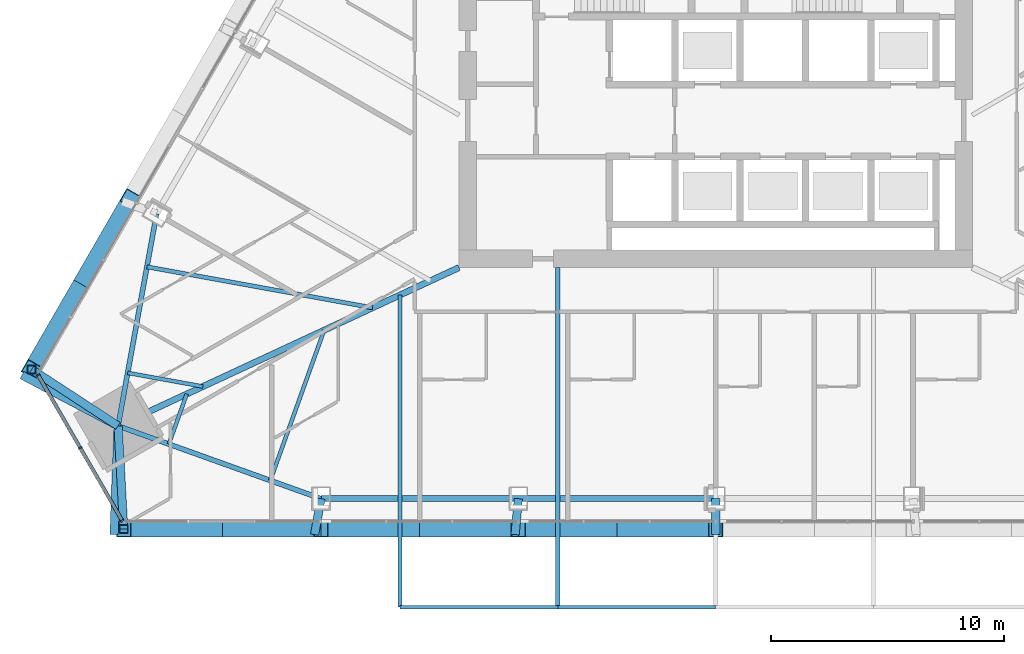
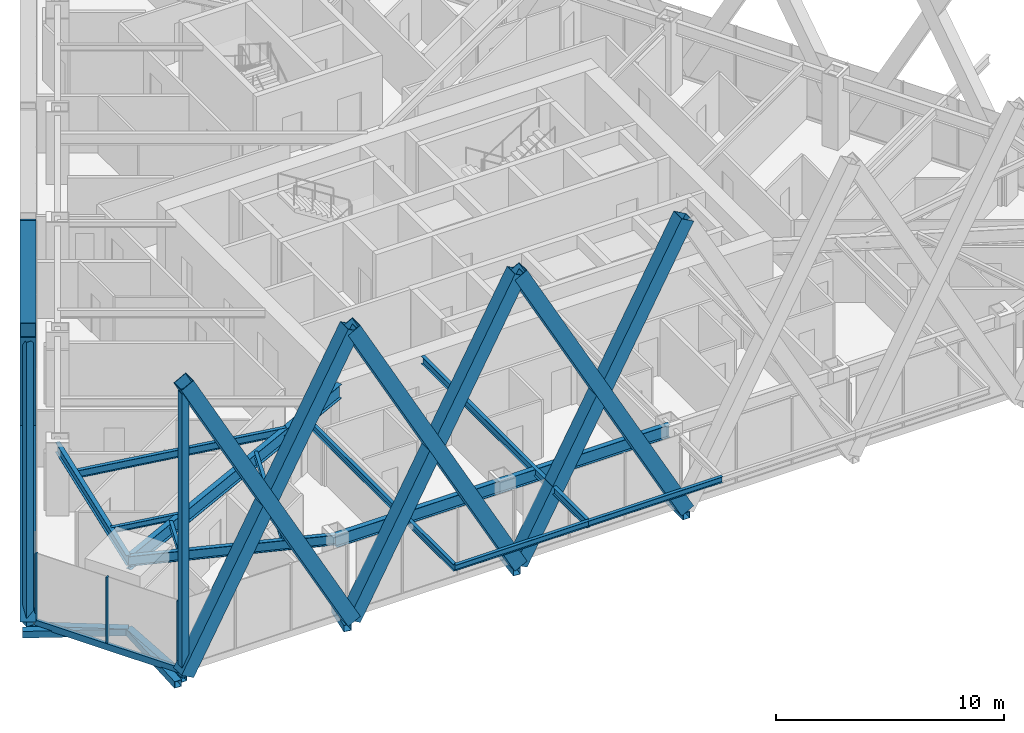
# One storey, part 2 of 19: 21 members, 12 beams, 1 element without a shape of its own.
"""IFC4 building model written with IfcOpenShell, lengths in metres."""

from ifc_helpers import new_model, si_unit, direction, frame, origin, origin_2d, place, context, subcontext, project, spatial, rectangle, hollow_rectangle, i_section, extrude, material, layer, layer_set, material_profile, profile_set, type_object, element, aggregate, save


model = new_model("IFC4")

# Units and contexts
model_context = context("Model", 3, precision=1e-05, world=origin(), true_north=direction((0.0, 1.0)))
body_context = subcontext(model_context, "Body", "Model", "MODEL_VIEW")
ifc_project = project(units=[si_unit("LENGTHUNIT", "METRE"), si_unit("AREAUNIT", "SQUARE_METRE"), si_unit("VOLUMEUNIT", "CUBIC_METRE"), si_unit("PLANEANGLEUNIT", "RADIAN"), si_unit("MASSUNIT", "GRAM", prefix="KILO")], contexts=[model_context])

# Site, building, storey
site_placement = place(None, origin())
site = spatial("IfcSite", under=ifc_project, at=site_placement, CompositionType="ELEMENT")
building_placement = place(site_placement, origin())
building = spatial("IfcBuilding", under=site, at=building_placement, Name="Firuza Gate Tower and Library", CompositionType="ELEMENT")
storey_placement = place(building_placement, frame((0.0, 0.0, 218.199951171875)))
storey = spatial("IfcBuildingStorey", under=building, at=storey_placement, Name="L51", CompositionType="ELEMENT", Elevation=218.199951171875)

# Members
ifc_material_1 = material(Name="Steel S355", Category="steel")
ifc_material_profile_1 = material_profile(ifc_material_1, hollow_rectangle(XDim=0.699951171875, YDim=0.699951171875, WallThickness=0.030029296875, at=origin_2d()))
ifc_profile_set_1 = profile_set([ifc_material_profile_1], Name="Steel S355")
member_type_1 = type_object("IfcMemberType", Name="BU700x700x30 Lattice brace", PredefinedType="BRACE", material=ifc_profile_set_1)
for number, where, z_axis, x_axis, name in (
    (1, (49.633056640625, 55.79736328125, 0.0), (0.476523365501, 0.0, 0.87916180657), (0.0, 1.0, 0.0), "Lattice brace S 12.1R"),
    (2, (58.088623046875, 55.79736328125, 0.0), (-0.476523365501, 0.0, 0.87916180657), (0.0, -1.0, 0.0), "Lattice brace S 12.1L"),
    (3, (58.088623046875, 55.79736328125, 0.0), (0.476533999947, 0.0, 0.879156042403), (0.0, 1.0, 0.0), "Lattice brace S 12.2R"),
    (4, (66.54443359375, 55.79736328125, 0.0), (-0.476533999947, 0.0, 0.879156042403), (0.0, -1.0, 0.0), "Lattice brace S 12.2L"),
    (5, (66.54443359375, 55.79736328125, 0.0), (0.476523365501, 0.0, 0.87916180657), (0.0, 1.0, 0.0), "Lattice brace S 12.3R"),
    (6, (75.0, 55.79736328125, 0.0), (-0.476523365501, 0.0, 0.87916180657), (0.0, -1.0, 0.0), "Lattice brace S 12.3L"),
    (7, (49.91455078125, 69.95556640625, 0.0), (-0.238274557402, -0.412680856607, 0.879158544225), (0.866013450987, -0.50002070228, 0.0), "Lattice brace W 12.6R"),
    (8, (45.6865234375, 62.6328125, 0.0), (0.238274557402, 0.412680856607, 0.879158544225), (-0.866013450987, 0.50002070228, 0.0), "Lattice brace W 12.6L"),
):
    element("IfcMember", number, at=place(storey_placement, frame(where, z_axis=z_axis, x_axis=x_axis)), inside=storey, type_object=member_type_1, Name=name, PredefinedType="BRACE", context=body_context, shape_type="SweptSolid", body=[
        extrude(hollow_rectangle(XDim=0.699951171875, YDim=0.699951171875, WallThickness=0.030029296875, at=origin_2d()), origin(), (0.0, 0.0, 1.0), 17.744384765625),
    ])

# Curtain wall, members
ifc_material_2 = material(Name="Aluminium 6063-T6", Category="aluminium")
ifc_layer = layer(ifc_material_2, 0.14990234375)
ifc_layer_set = layer_set([ifc_layer], Name="Corner curtain wall, chamfers")
curtain_wall_type = type_object("IfcCurtainWallType", Name="Corner curtain wall, chamfers", PredefinedType="NOTDEFINED", material=ifc_layer_set)
curtain_wall_placement = place(storey_placement, origin())
curtain_wall = element("IfcCurtainWall", 9, at=curtain_wall_placement, inside=storey, type_object=curtain_wall_type, Name="CW4 L51 SW corner", PredefinedType="NOTDEFINED")
ifc_material_3 = material(Name="Aluminium 6063-T6", Category="aluminium")
ifc_material_profile_2 = material_profile(ifc_material_3, rectangle(XDim=0.14990234375, YDim=0.080078125, at=origin_2d()))
ifc_profile_set_2 = profile_set([ifc_material_profile_2], Name="Aluminium 6063-T6")
member_type_2 = type_object("IfcMemberType", Name="Curtain wall mullion 80x150", PredefinedType="MULLION", material=ifc_profile_set_2)
member_1_placement = place(storey_placement, frame((45.96630859375, 62.398193359375, 0.150146484375), z_axis=(0.0, 0.0, 1.0), x_axis=(0.866025403784, 0.5, 0.0)))
member_1 = element("IfcMember", 10, at=member_1_placement, type_object=member_type_2, Name="Mullion", PredefinedType="MULLION", context=body_context, shape_type="SweptSolid", body=[
    extrude(rectangle(XDim=0.14990234375, YDim=0.080078125, at=origin_2d()), origin(), (0.0, 0.0, 1.0), 3.5498046875),
])
member_2_placement = place(storey_placement, frame((47.76806640625, 59.277587890625, 0.150146484375), z_axis=(0.0, 0.0, 1.0), x_axis=(0.866025403784, 0.5, 0.0)))
member_2 = element("IfcMember", 11, at=member_2_placement, type_object=member_type_2, Name="Mullion", PredefinedType="MULLION", context=body_context, shape_type="SweptSolid", body=[
    extrude(rectangle(XDim=0.14990234375, YDim=0.080078125, at=origin_2d()), origin(), (0.0, 0.0, 1.0), 3.5498046875),
])
member_3_placement = place(storey_placement, frame((49.56982421875, 56.156982421875, 0.150146484375), z_axis=(0.0, 0.0, 1.0), x_axis=(0.866025403784, 0.5, 0.0)))
member_3 = element("IfcMember", 12, at=member_3_placement, type_object=member_type_2, Name="Mullion", PredefinedType="MULLION", context=body_context, shape_type="SweptSolid", body=[
    extrude(rectangle(XDim=0.14990234375, YDim=0.080078125, at=origin_2d()), origin(), (0.0, 0.0, 1.0), 3.5498046875),
])
ifc_material_4 = material(Name="Aluminium 6063-T6", Category="aluminium")
ifc_material_profile_3 = material_profile(ifc_material_4, rectangle(XDim=0.14990234375, YDim=0.35009765625, at=origin_2d()))
ifc_profile_set_3 = profile_set([ifc_material_profile_3], Name="Aluminium 6063-T6")
member_type_3 = type_object("IfcMemberType", Name="Curtain wall transom 350x150", PredefinedType="USERDEFINED", material=ifc_profile_set_3)
member_4_placement = place(storey_placement, frame((45.9462890625, 62.432861328125, -0.02490234375), z_axis=(0.500005719219, -0.866022101766, 0.0), x_axis=(0.866022101766, 0.500005719219, 0.0)))
member_4 = element("IfcMember", 13, at=member_4_placement, type_object=member_type_3, Name="Transom", ObjectType="TRANSOM", PredefinedType="USERDEFINED", context=body_context, shape_type="SweptSolid", body=[
    extrude(rectangle(XDim=0.14990234375, YDim=0.35009765625, at=origin_2d()), origin(), (0.0, 0.0, 1.0), 7.28662109375),
])
aggregate(curtain_wall, [member_1, member_2, member_3, member_4])

# Members
ifc_material_5 = material(Name="Steel S355", Category="steel")
ifc_material_profile_4 = material_profile(ifc_material_5, hollow_rectangle(XDim=0.355712890625, YDim=0.355712890625, WallThickness=0.014892578125, at=origin_2d()))
ifc_profile_set_4 = profile_set([ifc_material_profile_4], Name="Steel S355")
member_type_4 = type_object("IfcMemberType", Name="HSS356x356x16 Lattice corner stile", PredefinedType="BRACE", material=ifc_profile_set_4)
for number, where, z_axis, x_axis, name in (
    (14, (49.633056640625, 55.79736328125, -0.139892578125), (0.0, 0.0, 1.0), (1.0, 0.0, 0.0), "Lattice corner stile S 12.A"),
    (15, (45.6865234375, 62.6328125, -0.139892578125), (0.0, 0.0, 1.0), (1.0, 0.0, 0.0), "Lattice corner stile W 12.B"),
):
    element("IfcMember", number, at=place(storey_placement, frame(where, z_axis=z_axis, x_axis=x_axis)), inside=storey, type_object=member_type_4, Name=name, PredefinedType="BRACE", context=body_context, shape_type="SweptSolid", body=[
        extrude(hollow_rectangle(XDim=0.355712890625, YDim=0.355712890625, WallThickness=0.014892578125, at=origin_2d()), origin(), (0.0, 0.0, 1.0), 15.239990234375),
    ])
ifc_material_6 = material(Name="Steel S355", Category="steel")
ifc_material_profile_5 = material_profile(ifc_material_6, hollow_rectangle(XDim=0.355712890625, YDim=0.355712890625, WallThickness=0.014892578125, at=origin_2d()))
ifc_profile_set_5 = profile_set([ifc_material_profile_5], Name="Steel S355")
member_type_5 = type_object("IfcMemberType", Name="HSS356x356x16 Lattice node tie", PredefinedType="BRACE", material=ifc_profile_set_5)
member_5_placement = place(storey_placement, frame((49.391845703125, 60.215087890625, -0.320068359375), z_axis=(-0.037145365408, -0.999309872777, 0.0), x_axis=(0.999309872777, -0.037145365408, 0.0)))
element("IfcMember", 16, at=member_5_placement, inside=storey, type_object=member_type_5, Name="Lattice node tie S L51 271", PredefinedType="BRACE", context=body_context, shape_type="SweptSolid", body=[
    extrude(hollow_rectangle(XDim=0.355712890625, YDim=0.355712890625, WallThickness=0.014892578125, at=origin_2d()), origin(), (0.0, 0.0, 1.0), 4.659912109375),
])
member_6_placement = place(storey_placement, frame((49.391845703125, 60.215087890625, -0.320068359375), z_axis=(0.054519511079, -0.998512705433, 0.0), x_axis=(0.998512705433, 0.054519511079, 0.0)))
element("IfcMember", 17, at=member_6_placement, inside=storey, type_object=member_type_5, Name="Lattice node tie S L51 272", PredefinedType="BRACE", context=body_context, shape_type="SweptSolid", body=[
    extrude(hollow_rectangle(XDim=0.355712890625, YDim=0.355712890625, WallThickness=0.014892578125, at=origin_2d()), origin(), (0.0, 0.0, 1.0), 4.42431640625),
])
member_7_placement = place(storey_placement, frame((58.088623046875, 57.097412109375, -0.320068359375), z_axis=(-0.176590369853, -0.984284431084, 0.0), x_axis=(0.984284431084, -0.176590369853, 0.0)))
element("IfcMember", 18, at=member_7_placement, inside=storey, type_object=member_type_5, Name="Lattice node tie S L51 273", PredefinedType="BRACE", context=body_context, shape_type="SweptSolid", body=[
    extrude(hollow_rectangle(XDim=0.355712890625, YDim=0.355712890625, WallThickness=0.014892578125, at=origin_2d()), origin(), (0.0, 0.0, 1.0), 1.563720703125),
])
member_8_placement = place(storey_placement, frame((66.54443359375, 57.097412109375, -0.320068359375), z_axis=(-0.089424552204, -0.995993599107, 0.0), x_axis=(0.995993599107, -0.089424552204, 0.0)))
element("IfcMember", 19, at=member_8_placement, inside=storey, type_object=member_type_5, Name="Lattice node tie S L51 274", PredefinedType="BRACE", context=body_context, shape_type="SweptSolid", body=[
    extrude(hollow_rectangle(XDim=0.355712890625, YDim=0.355712890625, WallThickness=0.014892578125, at=origin_2d()), origin(), (0.0, 0.0, 1.0), 1.545166015625),
])
member_9_placement = place(storey_placement, frame((75.0, 57.097412109375, -0.320068359375), z_axis=(0.0, -1.0, 0.0), x_axis=(1.0, 0.0, 0.0)))
element("IfcMember", 20, at=member_9_placement, inside=storey, type_object=member_type_5, Name="Lattice node tie S L51 275", PredefinedType="BRACE", context=body_context, shape_type="SweptSolid", body=[
    extrude(hollow_rectangle(XDim=0.355712890625, YDim=0.355712890625, WallThickness=0.014892578125, at=origin_2d()), origin(), (0.0, 0.0, 1.0), 1.5390625),
])
member_10_placement = place(storey_placement, frame((49.391845703125, 60.215087890625, -0.320068359375), z_axis=(-0.883999373818, 0.467488082296, 0.0), x_axis=(-0.467488082296, -0.883999373818, 0.0)))
element("IfcMember", 21, at=member_10_placement, inside=storey, type_object=member_type_5, Name="Lattice node tie W L51 280", PredefinedType="BRACE", context=body_context, shape_type="SweptSolid", body=[
    extrude(hollow_rectangle(XDim=0.355712890625, YDim=0.355712890625, WallThickness=0.014892578125, at=origin_2d()), origin(), (0.0, 0.0, 1.0), 4.659912109375),
])
member_11_placement = place(storey_placement, frame((49.391845703125, 60.215087890625, -0.320068359375), z_axis=(-0.837485429113, 0.546459656355, 0.0), x_axis=(-0.546459656355, -0.837485429113, 0.0)))
element("IfcMember", 22, at=member_11_placement, inside=storey, type_object=member_type_5, Name="Lattice node tie W L51 281", PredefinedType="BRACE", context=body_context, shape_type="SweptSolid", body=[
    extrude(hollow_rectangle(XDim=0.355712890625, YDim=0.355712890625, WallThickness=0.014892578125, at=origin_2d()), origin(), (0.0, 0.0, 1.0), 4.42431640625),
])

# Beams
ifc_material_7 = material(Name="Steel S355", Category="steel")
ifc_material_profile_6 = material_profile(ifc_material_7, i_section(OverallWidth=0.1650390625, OverallDepth=0.31005859375, WebThickness=0.005859375, FlangeThickness=0.009765625, at=origin_2d()))
ifc_profile_set_6 = profile_set([ifc_material_profile_6], Name="Steel S355")
beam_type_1 = type_object("IfcBeamType", Name="W310x39 Floor beam", PredefinedType="JOIST", material=ifc_profile_set_6)
beam_1_placement = place(storey_placement, frame((49.803955078125, 62.48779296875, 3.545166015625), z_axis=(0.983948530729, -0.178452483528, 0.0), x_axis=(0.178452483528, 0.983948530729, 0.0)))
element("IfcBeam", 23, at=beam_1_placement, inside=storey, type_object=beam_type_1, Name="Floor beam L51 s01", PredefinedType="JOIST", context=body_context, shape_type="SweptSolid", body=[
    extrude(i_section(OverallWidth=0.1650390625, OverallDepth=0.31005859375, WebThickness=0.005859375, FlangeThickness=0.009765625, at=origin_2d()), origin(), (0.0, 0.0, 1.0), 3.275146484375),
])
beam_2_placement = place(storey_placement, frame((51.566162109375, 59.435791015625, 3.545166015625), z_axis=(0.337475616442, 0.941334270229, 0.0), x_axis=(-0.941334270229, 0.337475616442, 0.0)))
element("IfcBeam", 24, at=beam_2_placement, inside=storey, type_object=beam_type_1, Name="Floor beam L51 s10", PredefinedType="JOIST", context=body_context, shape_type="SweptSolid", body=[
    extrude(i_section(OverallWidth=0.1650390625, OverallDepth=0.31005859375, WebThickness=0.005859375, FlangeThickness=0.009765625, at=origin_2d()), origin(), (0.0, 0.0, 1.0), 2.2802734375),
])
beam_3_placement = place(storey_placement, frame((55.91455078125, 57.876953125, 3.545166015625), z_axis=(0.337452942664, 0.941342398645, 0.0), x_axis=(-0.941342398645, 0.337452942664, 0.0)))
element("IfcBeam", 25, at=beam_3_placement, inside=storey, type_object=beam_type_1, Name="Floor beam L51 s11", PredefinedType="JOIST", context=body_context, shape_type="SweptSolid", body=[
    extrude(i_section(OverallWidth=0.1650390625, OverallDepth=0.31005859375, WebThickness=0.005859375, FlangeThickness=0.009765625, at=origin_2d()), origin(), (0.0, 0.0, 1.0), 6.84130859375),
])
beam_4_placement = place(storey_placement, frame((61.470947265625, 52.447509765625, 3.545166015625), z_axis=(1.0, 0.0, 0.0), x_axis=(0.0, 1.0, 0.0)))
element("IfcBeam", 26, at=beam_4_placement, inside=storey, type_object=beam_type_1, Name="Tray edge beam L51 s20-s21", PredefinedType="JOIST", context=body_context, shape_type="SweptSolid", body=[
    extrude(i_section(OverallWidth=0.1650390625, OverallDepth=0.31005859375, WebThickness=0.005859375, FlangeThickness=0.009765625, at=origin_2d()), origin(), (0.0, 0.0, 1.0), 6.764404296875),
])
beam_5_placement = place(storey_placement, frame((68.2353515625, 52.447509765625, 3.545166015625), z_axis=(1.0, 0.0, 0.0), x_axis=(0.0, 1.0, 0.0)))
element("IfcBeam", 27, at=beam_5_placement, inside=storey, type_object=beam_type_1, Name="Tray edge beam L51 s21-s22", PredefinedType="JOIST", context=body_context, shape_type="SweptSolid", body=[
    extrude(i_section(OverallWidth=0.1650390625, OverallDepth=0.31005859375, WebThickness=0.005859375, FlangeThickness=0.009765625, at=origin_2d()), origin(), (0.0, 0.0, 1.0), 6.7646484375),
])
ifc_material_8 = material(Name="Steel S355", Category="steel")
ifc_material_profile_7 = material_profile(ifc_material_8, i_section(OverallWidth=0.1708984375, OverallDepth=0.35498046875, WebThickness=0.007080078125, FlangeThickness=0.01171875, at=origin_2d()))
ifc_profile_set_7 = profile_set([ifc_material_profile_7], Name="Steel S355")
beam_type_2 = type_object("IfcBeamType", Name="W360x51 Floor beam", PredefinedType="JOIST", material=ifc_profile_set_7)
beam_6_placement = place(storey_placement, frame((61.470947265625, 52.447509765625, 3.5224609375), z_axis=(0.0, 1.0, 0.0), x_axis=(-1.0, 0.0, 0.0)))
element("IfcBeam", 28, at=beam_6_placement, inside=storey, type_object=beam_type_2, Name="Floor beam L51 s20", PredefinedType="JOIST", context=body_context, shape_type="SweptSolid", body=[
    extrude(i_section(OverallWidth=0.1708984375, OverallDepth=0.35498046875, WebThickness=0.007080078125, FlangeThickness=0.01171875, at=origin_2d()), origin(), (0.0, 0.0, 1.0), 13.3779296875),
])
ifc_material_9 = material(Name="Steel S355", Category="steel")
ifc_material_profile_8 = material_profile(ifc_material_9, i_section(OverallWidth=0.177978515625, OverallDepth=0.406982421875, WebThickness=0.0078125, FlangeThickness=0.0126953125, at=origin_2d()))
ifc_profile_set_8 = profile_set([ifc_material_profile_8], Name="Steel S355")
beam_type_3 = type_object("IfcBeamType", Name="W410x60 Floor beam", PredefinedType="JOIST", material=ifc_profile_set_8)
beam_7_placement = place(storey_placement, frame((50.628173828125, 67.032958984375, 3.49658203125), z_axis=(0.98395368435, -0.178424065234, 0.0), x_axis=(0.178424065234, 0.98395368435, 0.0)))
element("IfcBeam", 29, at=beam_7_placement, inside=storey, type_object=beam_type_3, Name="Floor beam L51 s00", PredefinedType="JOIST", context=body_context, shape_type="SweptSolid", body=[
    extrude(i_section(OverallWidth=0.177978515625, OverallDepth=0.406982421875, WebThickness=0.0078125, FlangeThickness=0.0126953125, at=origin_2d()), origin(), (0.0, 0.0, 1.0), 9.825927734375),
])
beam_8_placement = place(storey_placement, frame((68.2353515625, 52.447509765625, 3.49658203125), z_axis=(0.0, 1.0, 0.0), x_axis=(-1.0, 0.0, 0.0)))
element("IfcBeam", 30, at=beam_8_placement, inside=storey, type_object=beam_type_3, Name="Floor beam L51 s21", PredefinedType="JOIST", context=body_context, shape_type="SweptSolid", body=[
    extrude(i_section(OverallWidth=0.177978515625, OverallDepth=0.406982421875, WebThickness=0.0078125, FlangeThickness=0.0126953125, at=origin_2d()), origin(), (0.0, 0.0, 1.0), 14.552490234375),
])
ifc_material_10 = material(Name="Steel S355", Category="steel")
ifc_material_profile_9 = material_profile(ifc_material_10, i_section(OverallWidth=0.212890625, OverallDepth=0.5390625, WebThickness=0.01171875, FlangeThickness=0.018798828125, at=origin_2d()))
ifc_profile_set_9 = profile_set([ifc_material_profile_9], Name="Steel S355")
beam_type_4 = type_object("IfcBeamType", Name="W530x109 Edge beam", PredefinedType="SPANDREL", material=ifc_profile_set_9)
for number, where, z_axis, x_axis, name in (
    (31, (51.040283203125, 69.3056640625, 3.4306640625), (-0.178424980687, -0.983953518347, 0.0), (0.983953518347, -0.178424980687, 0.0), "Edge beam L51 e00"),
    (32, (49.391845703125, 60.215087890625, 3.4306640625), (0.941340671255, -0.337457761269, 0.0), (0.337457761269, 0.941340671255, 0.0), "Edge beam L51 e10"),
):
    element("IfcBeam", number, at=place(storey_placement, frame(where, z_axis=z_axis, x_axis=x_axis)), inside=storey, type_object=beam_type_4, Name=name, PredefinedType="SPANDREL", context=body_context, shape_type="SweptSolid", body=[
        extrude(i_section(OverallWidth=0.212890625, OverallDepth=0.5390625, WebThickness=0.01171875, FlangeThickness=0.018798828125, at=origin_2d()), origin(), (0.0, 0.0, 1.0), 9.23876953125),
    ])
ifc_material_11 = material(Name="Steel S355", Category="steel")
ifc_material_profile_10 = material_profile(ifc_material_11, i_section(OverallWidth=0.2529296875, OverallDepth=0.677978515625, WebThickness=0.01171875, FlangeThickness=0.016357421875, at=origin_2d()))
ifc_profile_set_10 = profile_set([ifc_material_profile_10], Name="Steel S355")
beam_type_5 = type_object("IfcBeamType", Name="W690x125 Edge beam", PredefinedType="SPANDREL", material=ifc_profile_set_10)
beam_9_placement = place(storey_placement, frame((58.088623046875, 57.097412109375, 3.361083984375), z_axis=(1.0, 0.0, 0.0), x_axis=(0.0, 1.0, 0.0)))
element("IfcBeam", 33, at=beam_9_placement, inside=storey, type_object=beam_type_5, Name="Edge beam L51 e20", PredefinedType="SPANDREL", context=body_context, shape_type="SweptSolid", body=[
    extrude(i_section(OverallWidth=0.2529296875, OverallDepth=0.677978515625, WebThickness=0.01171875, FlangeThickness=0.016357421875, at=origin_2d()), origin(), (0.0, 0.0, 1.0), 16.911376953125),
])
ifc_material_12 = material(Name="Steel S355", Category="steel")
ifc_material_profile_11 = material_profile(ifc_material_12, i_section(OverallWidth=0.264892578125, OverallDepth=0.7529296875, WebThickness=0.01318359375, FlangeThickness=0.01708984375, at=origin_2d()))
ifc_profile_set_11 = profile_set([ifc_material_profile_11], Name="Steel S355")
beam_type_6 = type_object("IfcBeamType", Name="W760x147 Girder", PredefinedType="BEAM", material=ifc_profile_set_11)
beam_10_placement = place(storey_placement, frame((49.391845703125, 60.215087890625, 3.323486328125), z_axis=(0.90694837612, 0.421241786927, 0.0), x_axis=(-0.421241786927, 0.90694837612, 0.0)))
element("IfcBeam", 34, at=beam_10_placement, inside=storey, type_object=beam_type_6, Name="Girder L51 gSW", PredefinedType="BEAM", context=body_context, shape_type="SweptSolid", body=[
    extrude(i_section(OverallWidth=0.264892578125, OverallDepth=0.7529296875, WebThickness=0.01318359375, FlangeThickness=0.01708984375, at=origin_2d()), origin(), (0.0, 0.0, 1.0), 16.10693359375),
])

save(model, "model.ifc")
